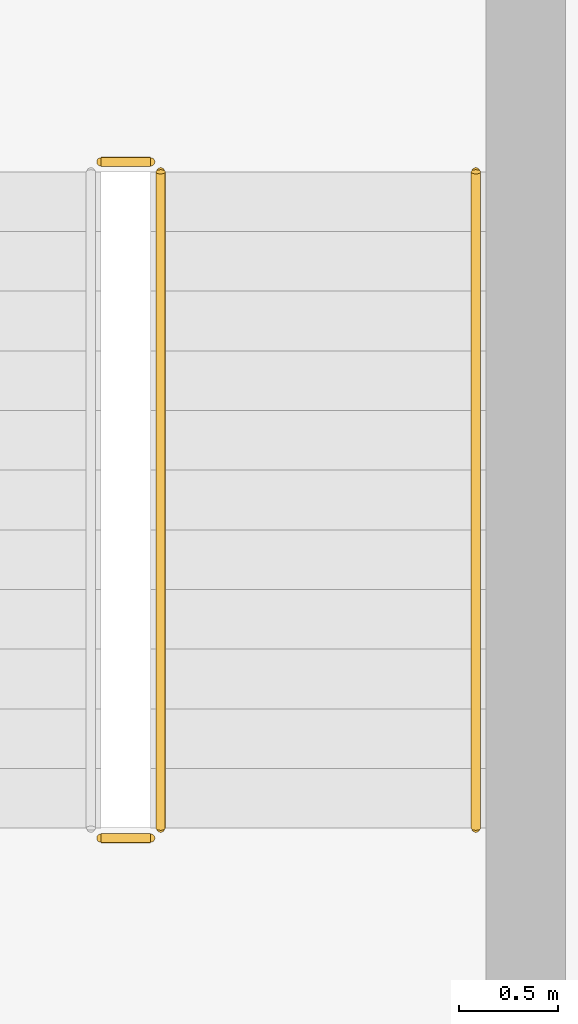
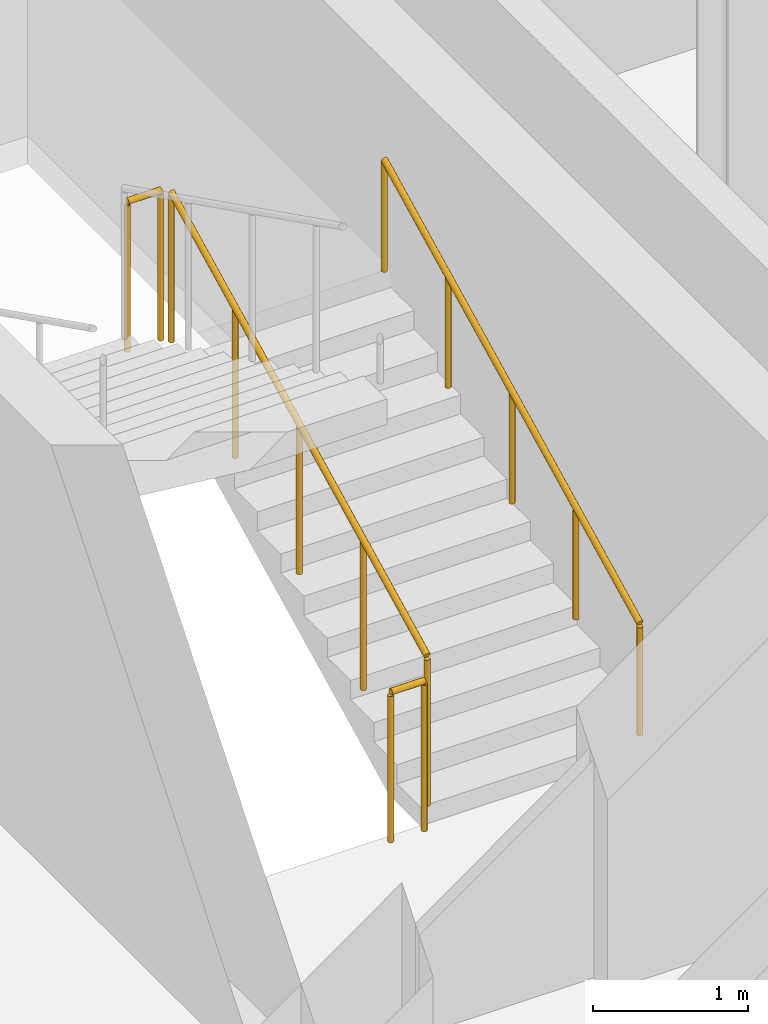
# One storey, part 116 of 116: 4 railings.
"""IFC4 building model written with IfcOpenShell, lengths in metres."""

import ifcopenshell
import ifcopenshell.guid

model = None  # the IFC model being written
_history = None  # IfcOwnerHistory: only IFC2X3 demands one
_inside = {}  # id of a spatial element -> (the spatial element, [elements in it])
_under = {}  # id of a project, library or spatial element -> (it, [spatial elements below it])
_declared = {}  # id of a project -> (the project, [libraries it declares])
_typed = {}  # id of a type object -> (the type object, [elements of that type])
_made_of = {}  # id of a material, layer set ... -> (it, [elements and type objects made of it])


def new_model(schema):
    """Start an empty IFC model of exactly this schema.

    Asked for "IFC4X3", IfcOpenShell would pick the latest addendum, in which some entities
    have other attributes; the version numbers below select the first issue.
    IFC2X3 requires an IfcOwnerHistory on every rooted entity: one is made here for all.
    """
    global model, _history
    if schema == "IFC4X3":
        model = ifcopenshell.file(schema_version=(4, 3, 0, 0))
    else:
        model = ifcopenshell.file(schema=schema)
    _inside.clear()
    _under.clear()
    _declared.clear()
    _typed.clear()
    _made_of.clear()
    _history = None
    if model.schema == "IFC2X3":
        org = make("IfcOrganization", Name="unknown")
        user = make(
            "IfcPersonAndOrganization",
            ThePerson=make("IfcPerson", FamilyName="unknown"),
            TheOrganization=org,
        )
        app = make(
            "IfcApplication",
            ApplicationDeveloper=org,
            Version="unknown",
            ApplicationFullName="unknown",
            ApplicationIdentifier="unknown",
        )
        _history = make(
            "IfcOwnerHistory",
            OwningUser=user,
            OwningApplication=app,
            ChangeAction="ADDED",
            CreationDate=0,
        )
    return model


def make(cls, **values):
    """One entity of the class cls with the attributes given. An attribute that is None is left unset."""
    return model.create_entity(
        cls, **{name: value for name, value in values.items() if value is not None}
    )


def rooted(cls, **values):
    """An entity with a GlobalId (a new one), such as an element, a storey or a relation."""
    return make(cls, GlobalId=ifcopenshell.guid.new(), OwnerHistory=_history, **values)


def si_unit(unit_type, name, prefix=None):
    """IfcSIUnit, for example si_unit("LENGTHUNIT", "METRE", prefix="MILLI")."""
    return make("IfcSIUnit", UnitType=unit_type, Prefix=prefix, Name=name)


def assignment(units):
    """IfcUnitAssignment: the units of a project."""
    return None if units is None else make("IfcUnitAssignment", Units=units)


def point(xyz):
    """IfcCartesianPoint."""
    return None if xyz is None else make("IfcCartesianPoint", Coordinates=xyz)


def direction(xyz):
    """IfcDirection."""
    return None if xyz is None else make("IfcDirection", DirectionRatios=xyz)


def frame(location, z_axis=None, x_axis=None):
    """IfcAxis2Placement3D, a coordinate frame: its origin and axes. An axis left out is left unset."""
    return make(
        "IfcAxis2Placement3D",
        Location=point(location),
        Axis=direction(z_axis),
        RefDirection=direction(x_axis),
    )


def frame_2d(location, x_axis=None):
    """IfcAxis2Placement2D, a coordinate frame in the plane: its origin and x axis."""
    return make(
        "IfcAxis2Placement2D", Location=point(location), RefDirection=direction(x_axis)
    )


def origin():
    """The frame at (0, 0, 0) with its axes left unset."""
    return frame((0.0, 0.0, 0.0))


def origin_2d():
    """The frame at (0, 0) in the plane with its x axis left unset."""
    return frame_2d((0.0, 0.0))


def place(relative_to, where):
    """IfcLocalPlacement: puts the frame where relative to a parent placement (None: the world)."""
    return make(
        "IfcLocalPlacement", PlacementRelTo=relative_to, RelativePlacement=where
    )


def context(
    kind, dimensions, precision=None, world=None, true_north=None, identifier=None
):
    """IfcGeometricRepresentationContext, for example the 3D "Model" context."""
    return make(
        "IfcGeometricRepresentationContext",
        ContextIdentifier=identifier,
        ContextType=kind,
        CoordinateSpaceDimension=dimensions,
        Precision=precision,
        WorldCoordinateSystem=world,
        TrueNorth=true_north,
    )


def subcontext(parent, identifier, kind, view, scale=None):
    """IfcGeometricRepresentationSubContext, for example "Body" below "Model"."""
    return make(
        "IfcGeometricRepresentationSubContext",
        ContextIdentifier=identifier,
        ContextType=kind,
        ParentContext=parent,
        TargetScale=scale,
        TargetView=view,
    )


def project(units=None, contexts=None):
    """IfcProject with its units and contexts."""
    return rooted(
        "IfcProject",
        Name="project",
        RepresentationContexts=contexts,
        UnitsInContext=assignment(units),
    )


def spatial(cls, under=None, at=None, **own):
    """A site, building, storey or space (cls), placed at a placement, below another one or the project."""
    s = rooted(cls, ObjectPlacement=at, **own)
    if under is not None:
        _under.setdefault(under.id(), (under, []))[1].append(s)
    return s


def profile(cls, at=None, kind="AREA", **sizes):
    """A parametric profile (cls). Its sizes go by their IFC names, for example OverallWidth=200.0."""
    return make(cls, ProfileType=kind, Position=at, **sizes)


def circle(**sizes):
    """IfcCircleProfileDef."""
    return profile("IfcCircleProfileDef", **sizes)


def extrude(swept, where, along, depth):
    """IfcExtrudedAreaSolid: the profile swept, set in the frame where, extruded along a direction by depth."""
    return make(
        "IfcExtrudedAreaSolid",
        SweptArea=swept,
        Position=where,
        ExtrudedDirection=direction(along),
        Depth=depth,
    )


def shape(context_of_items, identifier, shape_type, items):
    """IfcShapeRepresentation: the items that make up one representation, for example the "Body"."""
    return make(
        "IfcShapeRepresentation",
        ContextOfItems=context_of_items,
        RepresentationIdentifier=identifier,
        RepresentationType=shape_type,
        Items=items,
    )


def material(Name=None, Category=None):
    """IfcMaterial."""
    return make("IfcMaterial", Name=Name, Category=Category)


def made_of(thing, what):
    """Note that an element or type object is made of a material, layer set ...; save() writes the relation."""
    if what is not None:
        _made_of.setdefault(what.id(), (what, []))[1].append(thing)
    return thing


def type_object(cls, material=None, **own):
    """A type object (cls), such as IfcWallType, which elements share."""
    return made_of(rooted(cls, **own), material)


def element(
    cls,
    number,
    at=None,
    inside=None,
    cuts=None,
    type_object=None,
    material=None,
    context=None,
    identifier="Body",
    shape_type=None,
    held_by="IfcProductDefinitionShape",
    body=None,
    shapes=None,
    **own,
):
    """One element of the class cls, such as IfcWall. Its Tag is "e" and its number.

    at: its placement. inside: the storey or other place that contains it. cuts: it is an
    opening in that element (IfcRelVoidsElement). A single representation is given by context,
    identifier, shape_type and body (its items); several are given by shapes. held_by: the class
    of the entity that holds the representations. save() writes the other relations.
    """
    e = rooted(cls, Tag="e%d" % number, ObjectPlacement=at, **own)
    if body is not None:
        shapes = [shape(context, identifier, shape_type, body)]
    if shapes is not None:
        e.Representation = make(held_by, Representations=shapes)
    if inside is not None:
        _inside.setdefault(inside.id(), (inside, []))[1].append(e)
    if cuts is not None:
        rooted(
            "IfcRelVoidsElement", RelatingBuildingElement=cuts, RelatedOpeningElement=e
        )
    if type_object is not None:
        _typed.setdefault(type_object.id(), (type_object, []))[1].append(e)
    return made_of(e, material)


def aggregate(whole, parts):
    """IfcRelAggregates: a whole, such as a stair, and the parts it consists of."""
    return rooted("IfcRelAggregates", RelatingObject=whole, RelatedObjects=parts)


def save(model, path):
    """Write the relations noted so far, then the file.

    IfcRelAggregates (storeys below a building ...), IfcRelContainedInSpatialStructure (elements
    in a storey), IfcRelDefinesByType, IfcRelAssociatesMaterial and IfcRelDeclares: one each for
    every whole, place, type object, material and project.
    """
    for whole, parts in _under.values():
        aggregate(whole, parts)
    for where, things in _inside.values():
        rooted(
            "IfcRelContainedInSpatialStructure",
            RelatedElements=things,
            RelatingStructure=where,
        )
    for kind, things in _typed.values():
        rooted("IfcRelDefinesByType", RelatedObjects=things, RelatingType=kind)
    for what, things in _made_of.values():
        rooted("IfcRelAssociatesMaterial", RelatedObjects=things, RelatingMaterial=what)
    for by, libraries in _declared.values():
        rooted("IfcRelDeclares", RelatingContext=by, RelatedDefinitions=libraries)
    model.write(path)


model = new_model("IFC4")

# Units and contexts
model_context = context("Model", 3, precision=1e-05, world=origin(), true_north=direction((0.0, 1.0)))
body_context = subcontext(model_context, "Body", "Model", "MODEL_VIEW")
ifc_project = project(units=[si_unit("LENGTHUNIT", "METRE"), si_unit("AREAUNIT", "SQUARE_METRE"), si_unit("VOLUMEUNIT", "CUBIC_METRE"), si_unit("PLANEANGLEUNIT", "RADIAN"), si_unit("MASSUNIT", "GRAM", prefix="KILO")], contexts=[model_context])

# Site, building, storey
site_placement = place(None, origin())
site = spatial("IfcSite", under=ifc_project, at=site_placement, CompositionType="ELEMENT")
building_placement = place(site_placement, origin())
building = spatial("IfcBuilding", under=site, at=building_placement, Name="Chuanluo Vaults Station", CompositionType="ELEMENT")
storey_placement = place(building_placement, frame((0.0, 0.0, 10.800048828125)))
storey = spatial("IfcBuildingStorey", under=building, at=storey_placement, Name="L02", CompositionType="ELEMENT", Elevation=10.800048828125)

# Railings
ifc_material_1 = material(Name="Tempered laminated balustrade glass", Category="glass")
railing_type_1 = type_object("IfcRailingType", Name="RLG-GUARD-1200", PredefinedType="BALUSTRADE", material=ifc_material_1)
railing_1_placement = place(storey_placement, frame((176.052490234375, 114.1875, 0.14990234375)))
element("IfcRailing", 1, at=railing_1_placement, inside=storey, type_object=railing_type_1, Name="L02 ST-02 stair guard 1", PredefinedType="BALUSTRADE", context=body_context, shape_type="SweptSolid", body=[
    extrude(circle(Radius=0.02392578125, at=origin_2d()), frame((0.0, 0.0, 1.17578125), z_axis=(0.0, 0.894413956696, 0.447240063129), x_axis=(-1.0, 0.0, 0.0)), (0.0, 0.0, 1.0), 3.689697265625),
    extrude(circle(Radius=0.02099609375, at=origin_2d()), origin(), (0.0, 0.0, 1.0), 1.15185546875),
    extrude(circle(Radius=0.02099609375, at=origin_2d()), frame((0.0, 0.824951171875, 0.41259765625)), (0.0, 0.0, 1.0), 1.15185546875),
    extrude(circle(Radius=0.02099609375, at=origin_2d()), frame((0.0, 1.64990234375, 0.8251953125)), (0.0, 0.0, 1.0), 1.15185546875),
    extrude(circle(Radius=0.02099609375, at=origin_2d()), frame((0.0, 2.47509765625, 1.237548828125)), (0.0, 0.0, 1.0), 1.15185546875),
    extrude(circle(Radius=0.02099609375, at=origin_2d()), frame((0.0, 3.300048828125, 1.650146484375)), (0.0, 0.0, 1.0), 1.15185546875),
])
for number, where, name in (
    (2, (176.00244140625, 117.53759765625, 1.800048828125), "L02 ST-02 stair guard 2"),
    (3, (176.00244140625, 114.137451171875, 0.0), "L02 ST-02 stair guard 4"),
):
    element("IfcRailing", number, at=place(storey_placement, frame(where)), inside=storey, type_object=railing_type_1, Name=name, PredefinedType="BALUSTRADE", context=body_context, shape_type="SweptSolid", body=[
        extrude(circle(Radius=0.02392578125, at=origin_2d()), frame((0.0, 0.0, 1.17578125), z_axis=(-1.0, 0.0, 0.0), x_axis=(0.0, -1.0, 0.0)), (0.0, 0.0, 1.0), 0.25),
        extrude(circle(Radius=0.02099609375, at=origin_2d()), origin(), (0.0, 0.0, 1.0), 1.15185546875),
        extrude(circle(Radius=0.02099609375, at=origin_2d()), frame((-0.25, 0.0, 0.0)), (0.0, 0.0, 1.0), 1.15185546875),
    ])
ifc_material_2 = material(Name="Brushed stainless steel 304", Category="steel")
railing_type_2 = type_object("IfcRailingType", Name="RLG-HAND-900", PredefinedType="HANDRAIL", material=ifc_material_2)
railing_2_placement = place(storey_placement, frame((177.637451171875, 114.1875, 0.14990234375)))
element("IfcRailing", 4, at=railing_2_placement, inside=storey, type_object=railing_type_2, Name="L02 ST-02 stair handrail 1", PredefinedType="HANDRAIL", context=body_context, shape_type="SweptSolid", body=[
    extrude(circle(Radius=0.02392578125, at=origin_2d()), frame((0.0, 0.0, 0.8759765625), z_axis=(0.0, 0.894413956696, 0.447240063129), x_axis=(-1.0, 0.0, 0.0)), (0.0, 0.0, 1.0), 3.689697265625),
    extrude(circle(Radius=0.02099609375, at=origin_2d()), origin(), (0.0, 0.0, 1.0), 0.851806640625),
    extrude(circle(Radius=0.02099609375, at=origin_2d()), frame((0.0, 0.824951171875, 0.41259765625)), (0.0, 0.0, 1.0), 0.851806640625),
    extrude(circle(Radius=0.02099609375, at=origin_2d()), frame((0.0, 1.64990234375, 0.8251953125)), (0.0, 0.0, 1.0), 0.851806640625),
    extrude(circle(Radius=0.02099609375, at=origin_2d()), frame((0.0, 2.47509765625, 1.237548828125)), (0.0, 0.0, 1.0), 0.851806640625),
    extrude(circle(Radius=0.02099609375, at=origin_2d()), frame((0.0, 3.300048828125, 1.650146484375)), (0.0, 0.0, 1.0), 0.851806640625),
])

save(model, "model.ifc")
